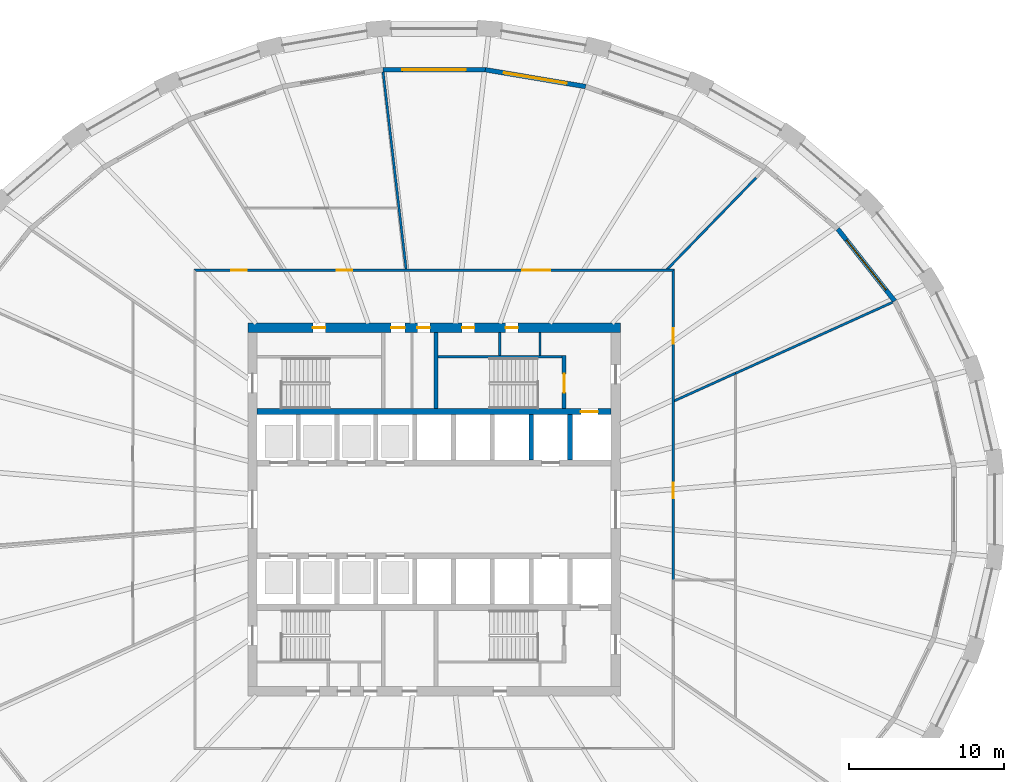
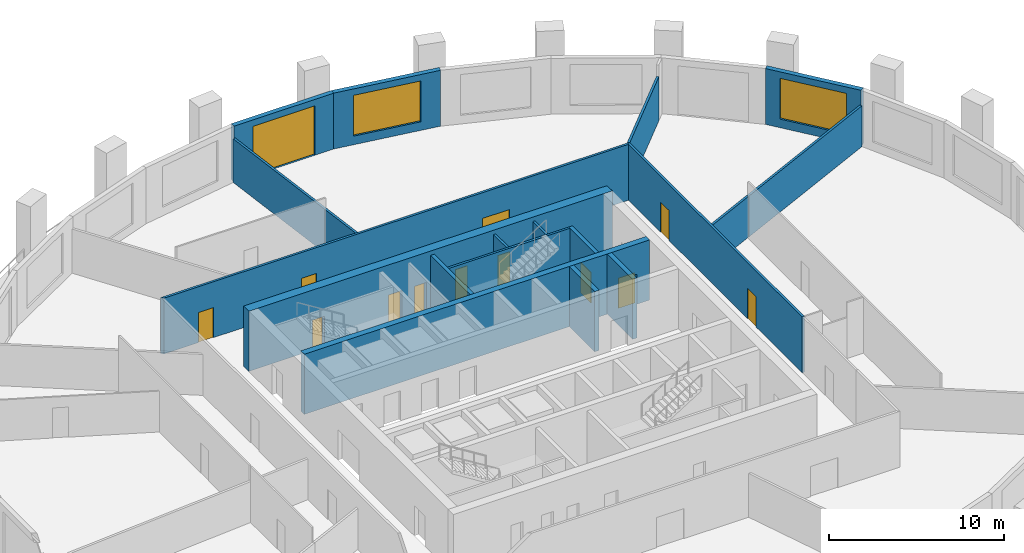
# One storey, part 6 of 10: 18 walls, 13 doors, 2 windows, 15 openings.
"""IFC4 building model written with IfcOpenShell, lengths in metres."""

from ifc_helpers import new_model, si_unit, direction, frame, frame_2d, origin, place, context, subcontext, project, spatial, polyline, rectangle, outline, extrude, material, layer, layer_set, type_object, element, fill, save


model = new_model("IFC4")

# Units and contexts
model_context = context("Model", 3, precision=1e-05, world=origin(), true_north=direction((0.0, 1.0)))
body_context = subcontext(model_context, "Body", "Model", "MODEL_VIEW")
ifc_project = project(units=[si_unit("LENGTHUNIT", "METRE"), si_unit("AREAUNIT", "SQUARE_METRE"), si_unit("VOLUMEUNIT", "CUBIC_METRE"), si_unit("PLANEANGLEUNIT", "RADIAN"), si_unit("MASSUNIT", "GRAM", prefix="KILO")], contexts=[model_context])

# Site, building, storey
site_placement = place(None, origin())
site = spatial("IfcSite", under=ifc_project, at=site_placement, CompositionType="ELEMENT")
building_placement = place(site_placement, origin())
building = spatial("IfcBuilding", under=site, at=building_placement, Name="Halqa Exchange Tower", CompositionType="ELEMENT")
storey_placement = place(building_placement, frame((0.0, 0.0, 86.5)))
storey = spatial("IfcBuildingStorey", under=building, at=storey_placement, Name="L19", CompositionType="ELEMENT", Elevation=86.5)

# Wall, openings, doors
ifc_material_1 = material(Name="Fire-rated gypsum board")
ifc_layer_1 = layer(ifc_material_1, 0.14990234375)
ifc_layer_set_1 = layer_set([ifc_layer_1], Name="Fire-rated gypsum board")
wall_type_1 = type_object("IfcWallType", Name="Fire partition EI 60 150", PredefinedType="PARTITIONING", material=ifc_layer_set_1)
wall_1_placement = place(storey_placement, frame((-15.47509765625, 15.39990234375, 0.0), z_axis=(0.0, 0.0, 1.0), x_axis=(1.0, 0.0, 0.0)))
wall_1 = element("IfcWall", 1, at=wall_1_placement, inside=storey, type_object=wall_type_1, Name="L19-PWL-011", PredefinedType="PARTITIONING", context=body_context, shape_type="SweptSolid", body=[
    extrude(outline(polyline([(0.150146484375, -0.074951171875), (2.065673828125, -0.074951171875), (3.9814453125, -0.074951171875), (5.89697265625, -0.074951171875), (7.8125, -0.074951171875), (9.728271484375, -0.074951171875), (11.643798828125, -0.074951171875), (13.5595703125, -0.074951171875), (15.47509765625, -0.074951171875), (17.390625, -0.074951171875), (19.306396484375, -0.074951171875), (21.221923828125, -0.074951171875), (23.1376953125, -0.074951171875), (25.05322265625, -0.074951171875), (26.96875, -0.074951171875), (28.884521484375, -0.074951171875), (30.800048828125, -0.074951171875), (30.949951171875, 0.074951171875), (29.015625, 0.074951171875), (27.081298828125, 0.074951171875), (25.14697265625, 0.074951171875), (23.21240234375, 0.074951171875), (21.278076171875, 0.074951171875), (19.34375, 0.074951171875), (17.409423828125, 0.074951171875), (15.47509765625, 0.074951171875), (13.540771484375, 0.074951171875), (11.6064453125, 0.074951171875), (9.672119140625, 0.074951171875), (7.73779296875, 0.074951171875), (5.80322265625, 0.074951171875), (3.868896484375, 0.074951171875), (1.9345703125, 0.074951171875), (0.000244140625, 0.074951171875), (0.150146484375, -0.074951171875)])), origin(), (0.0, 0.0, 1.0), 3.89990234375),
])
opening_1_placement = place(wall_1_placement, frame((21.155029296875, 0.0, 0.0)))
opening_1 = element("IfcOpeningElement", 2, at=opening_1_placement, cuts=wall_1, Name="Opening 06-04", PredefinedType="OPENING", context=body_context, shape_type="SweptSolid", body=[
    extrude(rectangle(XDim=1.800048828125, YDim=2.10009765625, at=frame_2d((0.89990234375, 1.050048828125))), frame((0.0, 0.0869140625, 0.0), z_axis=(0.0, -1.0, 0.0), x_axis=(1.0, 0.0, 0.0)), (0.0, 0.0, 1.0), 0.173828125),
])
opening_2_placement = place(wall_1_placement, frame((9.2099609375, 0.0, 0.0)))
opening_2 = element("IfcOpeningElement", 3, at=opening_2_placement, cuts=wall_1, Name="Opening 06-05", PredefinedType="OPENING", context=body_context, shape_type="SweptSolid", body=[
    extrude(rectangle(XDim=1.0, YDim=2.10009765625, at=frame_2d((0.5, 1.050048828125))), frame((0.0, 0.0869140625, 0.0), z_axis=(0.0, -1.0, 0.0), x_axis=(1.0, 0.0, 0.0)), (0.0, 0.0, 1.0), 0.173828125),
])
opening_3_placement = place(wall_1_placement, frame((2.405029296875, 0.0, 0.0)))
opening_3 = element("IfcOpeningElement", 4, at=opening_3_placement, cuts=wall_1, Name="Opening 06-06", PredefinedType="OPENING", context=body_context, shape_type="SweptSolid", body=[
    extrude(rectangle(XDim=1.0, YDim=2.10009765625, at=frame_2d((0.5, 1.050048828125))), frame((0.0, 0.0869140625, 0.0), z_axis=(0.0, -1.0, 0.0), x_axis=(1.0, 0.0, 0.0)), (0.0, 0.0, 1.0), 0.173828125),
])
ifc_material_2 = material(Name="Steel fire door leaf", Category="steel")
door_type_1 = type_object("IfcDoorType", Name="Fire door FD30S 1000 x 2100", OperationType="SINGLE_SWING_LEFT", PredefinedType="DOOR", material=ifc_material_2)
door_1_placement = place(opening_2_placement, origin())
door_1 = element("IfcDoor", 5, at=door_1_placement, inside=storey, type_object=door_type_1, Name="L19-IDR-005", OperationType="SINGLE_SWING_LEFT", OverallHeight=2.10009765625, OverallWidth=1.0, PredefinedType="DOOR", context=body_context, shape_type="SweptSolid", body=[
    extrude(rectangle(XDim=1.0, YDim=2.10009765625, at=frame_2d((0.5, 1.050048828125))), frame((0.0, 0.02490234375, 0.0), z_axis=(0.0, -1.0, 0.0), x_axis=(1.0, 0.0, 0.0)), (0.0, 0.0, 1.0), 0.050048828125),
])
fill(opening_2, door_1)
door_2_placement = place(opening_3_placement, origin())
door_2 = element("IfcDoor", 6, at=door_2_placement, inside=storey, type_object=door_type_1, Name="L19-IDR-006", OperationType="SINGLE_SWING_LEFT", OverallHeight=2.10009765625, OverallWidth=1.0, PredefinedType="DOOR", context=body_context, shape_type="SweptSolid", body=[
    extrude(rectangle(XDim=1.0, YDim=2.10009765625, at=frame_2d((0.5, 1.050048828125))), frame((0.0, 0.02490234375, 0.0), z_axis=(0.0, -1.0, 0.0), x_axis=(1.0, 0.0, 0.0)), (0.0, 0.0, 1.0), 0.050048828125),
])
fill(opening_3, door_2)
door_type_2 = type_object("IfcDoorType", Name="Fire door FD30S double 1800 x 2100", OperationType="DOUBLE_DOOR_SINGLE_SWING", PredefinedType="DOOR", material=ifc_material_2)
door_3_placement = place(opening_1_placement, origin())
door_3 = element("IfcDoor", 7, at=door_3_placement, inside=storey, type_object=door_type_2, Name="L19-IDR-004", OperationType="DOUBLE_DOOR_SINGLE_SWING", OverallHeight=2.10009765625, OverallWidth=1.800048828125, PredefinedType="DOOR", context=body_context, shape_type="SweptSolid", body=[
    extrude(rectangle(XDim=1.800048828125, YDim=2.10009765625, at=frame_2d((0.89990234375, 1.050048828125))), frame((0.0, 0.02490234375, 0.0), z_axis=(0.0, -1.0, 0.0), x_axis=(1.0, 0.0, 0.0)), (0.0, 0.0, 1.0), 0.050048828125),
])
fill(opening_1, door_3)

# Walls
wall_2_placement = place(storey_placement, frame((-3.2841796875, 28.16455078125, 0.0), z_axis=(0.0, 0.0, 1.0), x_axis=(0.116072244208, -0.993240773491, 0.0)))
element("IfcWall", 8, at=wall_2_placement, inside=storey, type_object=wall_type_1, Name="L19-PWL-013", PredefinedType="PARTITIONING", context=body_context, shape_type="SweptSolid", body=[
    extrude(outline(polyline([(0.0, -0.074951171875), (1.7529296875, -0.074951171875), (3.506103515625, -0.074951171875), (5.259033203125, -0.074951171875), (7.011962890625, -0.074951171875), (8.76513671875, -0.074951171875), (8.766357421875, -0.063720703125), (8.86181640625, -0.074951171875), (10.814453125, -0.074951171875), (12.76708984375, -0.074951171875), (12.7841796875, 0.07080078125), (12.7841796875, 0.074951171875), (10.95849609375, 0.074951171875), (9.1328125, 0.074951171875), (7.30712890625, 0.074951171875), (5.4814453125, 0.074951171875), (3.65576171875, 0.074951171875), (1.830078125, 0.074951171875), (0.00439453125, 0.074951171875), (0.0, 0.038330078125), (0.0, -0.074951171875)])), origin(), (0.0, 0.0, 1.0), 3.050048828125),
])
wall_3_placement = place(storey_placement, frame((14.972412109375, 15.423095703125, 0.0), z_axis=(0.0, 0.0, 1.0), x_axis=(0.696854208529, 0.717212808067, 0.0)))
element("IfcWall", 9, at=wall_3_placement, inside=storey, type_object=wall_type_1, Name="L19-PWL-015", PredefinedType="PARTITIONING", context=body_context, shape_type="SweptSolid", body=[
    extrude(outline(polyline([(0.0, 0.074951171875), (0.0, 0.074462890625), (0.145263671875, -0.074951171875), (1.77099609375, -0.074951171875), (3.39697265625, -0.074951171875), (5.022705078125, -0.074951171875), (6.648681640625, -0.074951171875), (8.2744140625, -0.074951171875), (8.2744140625, 0.074951171875), (6.61962890625, 0.074951171875), (4.964599609375, 0.074951171875), (3.309814453125, 0.074951171875), (1.65478515625, 0.074951171875), (0.0, 0.074951171875)])), origin(), (0.0, 0.0, 1.0), 3.080078125),
])

# Wall, openings, doors
wall_4_placement = place(storey_placement, frame((15.39990234375, -4.5400390625, 0.0), z_axis=(0.0, 0.0, 1.0), x_axis=(0.0, 1.0, 0.0)))
wall_4 = element("IfcWall", 10, at=wall_4_placement, inside=storey, type_object=wall_type_1, Name="L19-PWL-019", PredefinedType="PARTITIONING", context=body_context, shape_type="SweptSolid", body=[
    extrude(outline(polyline([(0.0, -0.074951171875), (1.819580078125, -0.074951171875), (3.63916015625, -0.074951171875), (5.45849609375, -0.074951171875), (7.278076171875, -0.074951171875), (9.09765625, -0.074951171875), (10.917236328125, -0.074951171875), (12.73681640625, -0.074951171875), (14.556396484375, -0.074951171875), (16.375732421875, -0.074951171875), (18.1953125, -0.074951171875), (20.014892578125, -0.074951171875), (19.864990234375, 0.074951171875), (17.87841796875, 0.074951171875), (15.89208984375, 0.074951171875), (13.905517578125, 0.074951171875), (11.9189453125, 0.074951171875), (9.9326171875, 0.074951171875), (7.946044921875, 0.074951171875), (5.95947265625, 0.074951171875), (3.972900390625, 0.074951171875), (1.986572265625, 0.074951171875), (0.0, 0.074951171875), (0.0, -0.074951171875)])), origin(), (0.0, 0.0, 1.0), 3.89990234375),
])
opening_4_placement = place(wall_4_placement, frame((5.25, 0.0, 0.0)))
opening_4 = element("IfcOpeningElement", 11, at=opening_4_placement, cuts=wall_4, Name="Opening 06-02", PredefinedType="OPENING", context=body_context, shape_type="SweptSolid", body=[
    extrude(rectangle(XDim=1.0, YDim=2.10009765625, at=frame_2d((0.5, 1.050048828125))), frame((0.0, 0.0869140625, 0.0), z_axis=(0.0, -1.0, 0.0), x_axis=(1.0, 0.0, 0.0)), (0.0, 0.0, 1.0), 0.173828125),
])
opening_5_placement = place(wall_4_placement, frame((15.219970703125, 0.0, 0.0)))
opening_5 = element("IfcOpeningElement", 12, at=opening_5_placement, cuts=wall_4, Name="Opening 06-03", PredefinedType="OPENING", context=body_context, shape_type="SweptSolid", body=[
    extrude(rectangle(XDim=1.0, YDim=2.10009765625, at=frame_2d((0.5, 1.050048828125))), frame((0.0, 0.0869140625, 0.0), z_axis=(0.0, -1.0, 0.0), x_axis=(1.0, 0.0, 0.0)), (0.0, 0.0, 1.0), 0.173828125),
])
door_4_placement = place(opening_4_placement, frame((1.0, 0.0, 0.0), z_axis=(0.0, 0.0, 1.0), x_axis=(-1.0, 0.0, 0.0)))
door_4 = element("IfcDoor", 13, at=door_4_placement, inside=storey, type_object=door_type_1, Name="L19-IDR-002", OperationType="SINGLE_SWING_LEFT", OverallHeight=2.10009765625, OverallWidth=1.0, PredefinedType="DOOR", context=body_context, shape_type="SweptSolid", body=[
    extrude(rectangle(XDim=1.0, YDim=2.10009765625, at=frame_2d((0.5, 1.050048828125))), frame((0.0, 0.02490234375, 0.0), z_axis=(0.0, -1.0, 0.0), x_axis=(1.0, 0.0, 0.0)), (0.0, 0.0, 1.0), 0.050048828125),
])
fill(opening_4, door_4)
door_5_placement = place(opening_5_placement, frame((1.0, 0.0, 0.0), z_axis=(0.0, 0.0, 1.0), x_axis=(-1.0, 0.0, 0.0)))
door_5 = element("IfcDoor", 14, at=door_5_placement, inside=storey, type_object=door_type_1, Name="L19-IDR-003", OperationType="SINGLE_SWING_LEFT", OverallHeight=2.10009765625, OverallWidth=1.0, PredefinedType="DOOR", context=body_context, shape_type="SweptSolid", body=[
    extrude(rectangle(XDim=1.0, YDim=2.10009765625, at=frame_2d((0.5, 1.050048828125))), frame((0.0, 0.02490234375, 0.0), z_axis=(0.0, -1.0, 0.0), x_axis=(1.0, 0.0, 0.0)), (0.0, 0.0, 1.0), 0.050048828125),
])
fill(opening_5, door_5)

# Walls
wall_5_placement = place(storey_placement, frame((15.444091796875, 6.97998046875, 0.0), z_axis=(0.0, 0.0, 1.0), x_axis=(0.911064178848, 0.412264553436, 0.0)))
element("IfcWall", 15, at=wall_5_placement, inside=storey, type_object=wall_type_1, Name="L19-PWL-021", PredefinedType="PARTITIONING", context=body_context, shape_type="SweptSolid", body=[
    extrude(outline(polyline([(0.0, -0.074951171875), (1.417724609375, -0.074951171875), (2.83544921875, -0.074951171875), (4.253173828125, -0.074951171875), (4.254150390625, -0.07275390625), (4.259033203125, -0.074951171875), (4.342041015625, -0.074951171875), (4.342041015625, 0.074951171875), (2.917236328125, 0.074951171875), (1.49267578125, 0.074951171875), (0.06787109375, 0.074951171875), (0.0, -0.074951171875)])), origin(), (0.0, 0.0, 1.0), 2.85009765625),
])
wall_6_placement = place(storey_placement, frame((19.404052734375, 8.761962890625, 0.0), z_axis=(0.0, 0.0, 1.0), x_axis=(0.911089862884, 0.41220778953, 0.0)))
element("IfcWall", 16, at=wall_6_placement, inside=storey, type_object=wall_type_1, Name="L19-PWL-023", PredefinedType="PARTITIONING", context=body_context, shape_type="SweptSolid", body=[
    extrude(outline(polyline([(11.12060546875, -0.074951171875), (11.12060546875, -0.0673828125), (11.11865234375, -0.00244140625), (11.099365234375, 0.074951171875), (9.24951171875, 0.074951171875), (7.399658203125, 0.074951171875), (5.549560546875, 0.074951171875), (3.69970703125, 0.074951171875), (1.849853515625, 0.074951171875), (0.0, 0.074951171875), (0.0, -0.068115234375), (0.015380859375, -0.074951171875), (1.8662109375, -0.074951171875), (3.717041015625, -0.074951171875), (5.56787109375, -0.074951171875), (7.4189453125, -0.074951171875), (9.269775390625, -0.074951171875), (11.12060546875, -0.074951171875)])), origin(), (0.0, 0.0, 1.0), 2.85009765625),
])
ifc_material_3 = material(Name="Gypsum board")
ifc_layer_2 = layer(ifc_material_3, 0.14990234375)
ifc_layer_set_2 = layer_set([ifc_layer_2], Name="Gypsum board")
wall_type_2 = type_object("IfcWallType", Name="Penthouse riser wall 150 gypsum", PredefinedType="PARTITIONING", material=ifc_layer_set_2)
for number, where, z_axis, x_axis, name in (
    (17, (4.22509765625, 9.89990234375, 0.0), (0.0, 0.0, 1.0), (0.0, 1.0, 0.0), "Partition E4.225 N"),
    (18, (6.824951171875, 9.89990234375, 0.0), (0.0, 0.0, 1.0), (0.0, 1.0, 0.0), "Firefighting lobby west wall N"),
):
    element("IfcWall", number, at=place(storey_placement, frame(where, z_axis=z_axis, x_axis=x_axis)), inside=storey, type_object=wall_type_2, Name=name, PredefinedType="PARTITIONING", context=body_context, shape_type="SweptSolid", body=[
        extrude(rectangle(XDim=1.5, YDim=0.14990234375, at=frame_2d((0.75, 0.0))), origin(), (0.0, 0.0, 1.0), 3.89990234375),
    ])
ifc_material_4 = material(Name="Concrete C60/75", Category="concrete")
ifc_layer_3 = layer(ifc_material_4, 0.300048828125)
ifc_layer_set_3 = layer_set([ifc_layer_3], Name="Concrete C60/75")
wall_type_3 = type_object("IfcWallType", Name="RC core wall 300", PredefinedType="SHEAR", material=ifc_layer_set_3)
for number, where, z_axis, x_axis, name in (
    (19, (6.25, 3.199951171875, 0.0), (0.0, 0.0, 1.0), (0.0, 1.0, 0.0), "Shaft divider N7"),
    (20, (8.75, 3.199951171875, 0.0), (0.0, 0.0, 1.0), (0.0, 1.0, 0.0), "Shaft divider N8"),
):
    element("IfcWall", number, at=place(storey_placement, frame(where, z_axis=z_axis, x_axis=x_axis)), inside=storey, type_object=wall_type_3, Name=name, PredefinedType="SHEAR", context=body_context, shape_type="SweptSolid", body=[
        extrude(rectangle(XDim=2.900146484375, YDim=0.300048828125, at=frame_2d((1.4501953125, 0.0))), origin(), (0.0, 0.0, 1.0), 4.199951171875),
    ])

# Wall, opening, door
ifc_material_5 = material(Name="Concrete C80/95", Category="concrete")
ifc_layer_4 = layer(ifc_material_5, 0.39990234375)
ifc_layer_set_4 = layer_set([ifc_layer_4], Name="Concrete C80/95")
wall_type_4 = type_object("IfcWallType", Name="RC core wall 400 C80/95", PredefinedType="SHEAR", material=ifc_layer_set_4)
wall_7_placement = place(storey_placement, frame((-11.39990234375, 6.300048828125, 0.0), z_axis=(0.0, 0.0, 1.0), x_axis=(1.0, 0.0, 0.0)))
wall_7 = element("IfcWall", 21, at=wall_7_placement, inside=storey, type_object=wall_type_4, Name="Lift row back wall N", PredefinedType="SHEAR", context=body_context, shape_type="SweptSolid", body=[
    extrude(rectangle(XDim=22.7998046875, YDim=0.39990234375, at=frame_2d((11.39990234375, 0.0))), origin(), (0.0, 0.0, 1.0), 4.199951171875),
])
opening_6_placement = place(wall_7_placement, frame((20.85009765625, 0.0, 0.0)))
opening_6 = element("IfcOpeningElement", 22, at=opening_6_placement, cuts=wall_7, Name="Opening LD-FF1-T06", PredefinedType="OPENING", context=body_context, shape_type="SweptSolid", body=[
    extrude(rectangle(XDim=1.10009765625, YDim=2.10009765625, at=frame_2d((0.550048828125, 1.050048828125))), frame((0.0, 0.2119140625, 0.0), z_axis=(0.0, -1.0, 0.0), x_axis=(1.0, 0.0, 0.0)), (0.0, 0.0, 1.0), 0.423828125),
])
ifc_material_6 = material(Name="Stainless steel", Category="steel")
door_type_3 = type_object("IfcDoorType", Name="Lift landing door 1100 x 2100", OperationType="SLIDING_TO_LEFT", PredefinedType="DOOR", material=ifc_material_6)
door_6_placement = place(opening_6_placement, origin())
door_6 = element("IfcDoor", 23, at=door_6_placement, inside=storey, type_object=door_type_3, Name="Lift landing door FF1", OperationType="SLIDING_TO_LEFT", OverallHeight=2.10009765625, OverallWidth=1.10009765625, PredefinedType="DOOR", context=body_context, shape_type="SweptSolid", body=[
    extrude(rectangle(XDim=1.10009765625, YDim=2.10009765625, at=frame_2d((0.550048828125, 1.050048828125))), frame((0.0, 0.02490234375, 0.0), z_axis=(0.0, -1.0, 0.0), x_axis=(1.0, 0.0, 0.0)), (0.0, 0.0, 1.0), 0.050048828125),
])
fill(opening_6, door_6)

# Wall, openings, doors
ifc_layer_5 = layer(ifc_material_5, 0.60009765625)
ifc_layer_set_5 = layer_set([ifc_layer_5], Name="Concrete C80/95")
wall_type_5 = type_object("IfcWallType", Name="RC core wall 600 C80/95", PredefinedType="SHEAR", material=ifc_layer_set_5)
wall_8_placement = place(storey_placement, frame((-12.0, 11.699951171875, 0.0), z_axis=(0.0, 0.0, 1.0), x_axis=(1.0, 0.0, 0.0)))
wall_8 = element("IfcWall", 24, at=wall_8_placement, inside=storey, type_object=wall_type_5, Name="Core wall north", PredefinedType="SHEAR", context=body_context, shape_type="SweptSolid", body=[
    extrude(rectangle(XDim=24.0, YDim=0.60009765625, at=frame_2d((12.0, 0.0))), origin(), (0.0, 0.0, 1.0), 4.199951171875),
])
opening_7_placement = place(wall_8_placement, frame((9.22509765625, 0.0, 0.0)))
opening_7 = element("IfcOpeningElement", 25, at=opening_7_placement, cuts=wall_8, Name="Opening T06-C21", PredefinedType="OPENING", context=body_context, shape_type="SweptSolid", body=[
    extrude(rectangle(XDim=0.89990234375, YDim=2.10009765625, at=frame_2d((0.449951171875, 1.050048828125))), frame((0.0, 0.31201171875, 0.0), z_axis=(0.0, -1.0, 0.0), x_axis=(1.0, 0.0, 0.0)), (0.0, 0.0, 1.0), 0.6240234375),
])
opening_8_placement = place(wall_8_placement, frame((10.925048828125, 0.0, 0.0)))
opening_8 = element("IfcOpeningElement", 26, at=opening_8_placement, cuts=wall_8, Name="Opening T06-C22", PredefinedType="OPENING", context=body_context, shape_type="SweptSolid", body=[
    extrude(rectangle(XDim=0.800048828125, YDim=2.10009765625, at=frame_2d((0.39990234375, 1.050048828125))), frame((0.0, 0.31201171875, 0.0), z_axis=(0.0, -1.0, 0.0), x_axis=(1.0, 0.0, 0.0)), (0.0, 0.0, 1.0), 0.6240234375),
])
opening_9_placement = place(wall_8_placement, frame((4.199951171875, 0.0, 0.0)))
opening_9 = element("IfcOpeningElement", 27, at=opening_9_placement, cuts=wall_8, Name="Opening T06-C23", PredefinedType="OPENING", context=body_context, shape_type="SweptSolid", body=[
    extrude(rectangle(XDim=0.800048828125, YDim=2.10009765625, at=frame_2d((0.39990234375, 1.050048828125))), frame((0.0, 0.31201171875, 0.0), z_axis=(0.0, -1.0, 0.0), x_axis=(1.0, 0.0, 0.0)), (0.0, 0.0, 1.0), 0.6240234375),
])
opening_10_placement = place(wall_8_placement, frame((13.800048828125, 0.0, 0.0)))
opening_10 = element("IfcOpeningElement", 28, at=opening_10_placement, cuts=wall_8, Name="Opening T06-C24", PredefinedType="OPENING", context=body_context, shape_type="SweptSolid", body=[
    extrude(rectangle(XDim=0.800048828125, YDim=2.10009765625, at=frame_2d((0.39990234375, 1.050048828125))), frame((0.0, 0.31201171875, 0.0), z_axis=(0.0, -1.0, 0.0), x_axis=(1.0, 0.0, 0.0)), (0.0, 0.0, 1.0), 0.6240234375),
])
opening_11_placement = place(wall_8_placement, frame((16.60009765625, 0.0, 0.0)))
opening_11 = element("IfcOpeningElement", 29, at=opening_11_placement, cuts=wall_8, Name="Opening T06-C25", PredefinedType="OPENING", context=body_context, shape_type="SweptSolid", body=[
    extrude(rectangle(XDim=0.800048828125, YDim=2.10009765625, at=frame_2d((0.39990234375, 1.050048828125))), frame((0.0, 0.31201171875, 0.0), z_axis=(0.0, -1.0, 0.0), x_axis=(1.0, 0.0, 0.0)), (0.0, 0.0, 1.0), 0.6240234375),
])
ifc_material_7 = material(Name="Timber fire door leaf", Category="wood")
door_type_4 = type_object("IfcDoorType", Name="Core room door FD30 900 x 2100", OperationType="SINGLE_SWING_LEFT", PredefinedType="DOOR", material=ifc_material_7)
door_7_placement = place(opening_7_placement, frame((0.89990234375, 0.0, 0.0), z_axis=(0.0, 0.0, 1.0), x_axis=(-1.0, 0.0, 0.0)))
door_7 = element("IfcDoor", 30, at=door_7_placement, inside=storey, type_object=door_type_4, Name="Core room door", OperationType="SINGLE_SWING_LEFT", OverallHeight=2.10009765625, OverallWidth=0.89990234375, PredefinedType="DOOR", context=body_context, shape_type="SweptSolid", body=[
    extrude(rectangle(XDim=0.89990234375, YDim=2.10009765625, at=frame_2d((0.449951171875, 1.050048828125))), frame((0.0, 0.02490234375, 0.0), z_axis=(0.0, -1.0, 0.0), x_axis=(1.0, 0.0, 0.0)), (0.0, 0.0, 1.0), 0.050048828125),
])
fill(opening_7, door_7)
door_type_5 = type_object("IfcDoorType", Name="Riser door FD60 800 x 2100", OperationType="SINGLE_SWING_LEFT", PredefinedType="DOOR", material=ifc_material_2)
door_8_placement = place(opening_8_placement, frame((0.800048828125, 0.0, 0.0), z_axis=(0.0, 0.0, 1.0), x_axis=(-1.0, 0.0, 0.0)))
door_8 = element("IfcDoor", 31, at=door_8_placement, inside=storey, type_object=door_type_5, Name="Core room door", OperationType="SINGLE_SWING_LEFT", OverallHeight=2.10009765625, OverallWidth=0.800048828125, PredefinedType="DOOR", context=body_context, shape_type="SweptSolid", body=[
    extrude(rectangle(XDim=0.800048828125, YDim=2.10009765625, at=frame_2d((0.39990234375, 1.050048828125))), frame((0.0, 0.02490234375, 0.0), z_axis=(0.0, -1.0, 0.0), x_axis=(1.0, 0.0, 0.0)), (0.0, 0.0, 1.0), 0.050048828125),
])
fill(opening_8, door_8)
door_9_placement = place(opening_9_placement, frame((0.800048828125, 0.0, 0.0), z_axis=(0.0, 0.0, 1.0), x_axis=(-1.0, 0.0, 0.0)))
door_9 = element("IfcDoor", 32, at=door_9_placement, inside=storey, type_object=door_type_5, Name="Core room door", OperationType="SINGLE_SWING_LEFT", OverallHeight=2.10009765625, OverallWidth=0.800048828125, PredefinedType="DOOR", context=body_context, shape_type="SweptSolid", body=[
    extrude(rectangle(XDim=0.800048828125, YDim=2.10009765625, at=frame_2d((0.39990234375, 1.050048828125))), frame((0.0, 0.02490234375, 0.0), z_axis=(0.0, -1.0, 0.0), x_axis=(1.0, 0.0, 0.0)), (0.0, 0.0, 1.0), 0.050048828125),
])
fill(opening_9, door_9)
door_10_placement = place(opening_10_placement, frame((0.800048828125, 0.0, 0.0), z_axis=(0.0, 0.0, 1.0), x_axis=(-1.0, 0.0, 0.0)))
door_10 = element("IfcDoor", 33, at=door_10_placement, inside=storey, type_object=door_type_5, Name="Core room door", OperationType="SINGLE_SWING_RIGHT", OverallHeight=2.10009765625, OverallWidth=0.800048828125, PredefinedType="DOOR", context=body_context, shape_type="SweptSolid", body=[
    extrude(rectangle(XDim=0.800048828125, YDim=2.10009765625, at=frame_2d((0.39990234375, 1.050048828125))), frame((0.0, 0.02490234375, 0.0), z_axis=(0.0, -1.0, 0.0), x_axis=(1.0, 0.0, 0.0)), (0.0, 0.0, 1.0), 0.050048828125),
])
fill(opening_10, door_10)
door_11_placement = place(opening_11_placement, frame((0.800048828125, 0.0, 0.0), z_axis=(0.0, 0.0, 1.0), x_axis=(-1.0, 0.0, 0.0)))
door_11 = element("IfcDoor", 34, at=door_11_placement, inside=storey, type_object=door_type_5, Name="Core room door", OperationType="SINGLE_SWING_LEFT", OverallHeight=2.10009765625, OverallWidth=0.800048828125, PredefinedType="DOOR", context=body_context, shape_type="SweptSolid", body=[
    extrude(rectangle(XDim=0.800048828125, YDim=2.10009765625, at=frame_2d((0.39990234375, 1.050048828125))), frame((0.0, 0.02490234375, 0.0), z_axis=(0.0, -1.0, 0.0), x_axis=(1.0, 0.0, 0.0)), (0.0, 0.0, 1.0), 0.050048828125),
])
fill(opening_11, door_11)

# Walls
ifc_material_8 = material(Name="Concrete C30/37", Category="concrete")
ifc_layer_6 = layer(ifc_material_8, 0.14990234375)
ifc_layer_set_6 = layer_set([ifc_layer_6], Name="Concrete C30/37")
wall_type_6 = type_object("IfcWallType", Name="RC stair wall 150 C30/37", PredefinedType="SHEAR", material=ifc_layer_set_6)
wall_9_placement = place(storey_placement, frame((0.25, 9.824951171875, 0.0), z_axis=(0.0, 0.0, 1.0), x_axis=(1.0, 0.0, 0.0)))
element("IfcWall", 35, at=wall_9_placement, inside=storey, type_object=wall_type_6, Name="Stair ST2 north wall N", PredefinedType="SHEAR", context=body_context, shape_type="SweptSolid", body=[
    extrude(rectangle(XDim=8.0, YDim=0.14990234375, at=frame_2d((4.0, 0.0))), origin(), (0.0, 0.0, 1.0), 3.89990234375),
])
ifc_layer_7 = layer(ifc_material_8, 0.25)
ifc_layer_set_7 = layer_set([ifc_layer_7], Name="Concrete C30/37")
wall_type_7 = type_object("IfcWallType", Name="RC stair wall 250 C30/37", PredefinedType="SHEAR", material=ifc_layer_set_7)
wall_10_placement = place(storey_placement, frame((0.125, 6.5, 0.0), z_axis=(0.0, 0.0, 1.0), x_axis=(0.0, 1.0, 0.0)))
element("IfcWall", 36, at=wall_10_placement, inside=storey, type_object=wall_type_7, Name="Stair ST2 west wall N", PredefinedType="SHEAR", context=body_context, shape_type="SweptSolid", body=[
    extrude(rectangle(XDim=4.89990234375, YDim=0.25, at=frame_2d((2.449951171875, 0.0))), origin(), (0.0, 0.0, 1.0), 3.89990234375),
])

# Wall, opening, door
wall_11_placement = place(storey_placement, frame((8.375, 6.5, 0.0), z_axis=(0.0, 0.0, 1.0), x_axis=(0.0, 1.0, 0.0)))
wall_11 = element("IfcWall", 37, at=wall_11_placement, inside=storey, type_object=wall_type_7, Name="Stair ST2 east wall N", PredefinedType="SHEAR", context=body_context, shape_type="SweptSolid", body=[
    extrude(rectangle(XDim=3.39990234375, YDim=0.25, at=frame_2d((1.699951171875, 0.0))), origin(), (0.0, 0.0, 1.0), 3.89990234375),
])
opening_12_placement = place(wall_11_placement, frame((1.02490234375, 0.0, 0.0)))
opening_12 = element("IfcOpeningElement", 38, at=opening_12_placement, cuts=wall_11, Name="Opening T06-C16", PredefinedType="OPENING", context=body_context, shape_type="SweptSolid", body=[
    extrude(rectangle(XDim=1.199951171875, YDim=2.10009765625, at=frame_2d((0.60009765625, 1.050048828125))), frame((0.0, 0.136962890625, 0.0), z_axis=(0.0, -1.0, 0.0), x_axis=(1.0, 0.0, 0.0)), (0.0, 0.0, 1.0), 0.27392578125),
])
door_type_6 = type_object("IfcDoorType", Name="Stair door FD90 1200 x 2100", OperationType="SINGLE_SWING_LEFT", PredefinedType="DOOR", material=ifc_material_2)
door_12_placement = place(opening_12_placement, origin())
door_12 = element("IfcDoor", 39, at=door_12_placement, inside=storey, type_object=door_type_6, Name="Stair door ST2", OperationType="SINGLE_SWING_RIGHT", OverallHeight=2.10009765625, OverallWidth=1.199951171875, PredefinedType="DOOR", context=body_context, shape_type="SweptSolid", body=[
    extrude(rectangle(XDim=1.199951171875, YDim=2.10009765625, at=frame_2d((0.60009765625, 1.050048828125))), frame((0.0, 0.02490234375, 0.0), z_axis=(0.0, -1.0, 0.0), x_axis=(1.0, 0.0, 0.0)), (0.0, 0.0, 1.0), 0.050048828125),
])
fill(opening_12, door_12)

# Wall, opening, window
ifc_material_9 = material(Name="Limestone cladding", Category="masonry")
ifc_layer_8 = layer(ifc_material_9, 0.0400390625)
ifc_material_10 = material(Name="Ventilated cavity")
ifc_layer_9 = layer(ifc_material_10, 0.030029296875, ventilated=True)
ifc_material_11 = material(Name="Mineral wool insulation")
ifc_layer_10 = layer(ifc_material_11, 0.10009765625)
ifc_layer_11 = layer(ifc_material_8, 0.10009765625)
ifc_material_12 = material(Name="Internal plaster")
ifc_layer_12 = layer(ifc_material_12, 0.030029296875)
ifc_layer_set_8 = layer_set([ifc_layer_8, ifc_layer_9, ifc_layer_10, ifc_layer_11, ifc_layer_12], Name="Stone-faced insulated wall 300")
wall_type_8 = type_object("IfcWallType", Name="Stone-faced insulated wall 300", PredefinedType="STANDARD", material=ifc_layer_set_8)
wall_12_placement = place(storey_placement, frame((29.66259765625, 13.42333984375, 0.0), z_axis=(0.0, 0.0, 1.0), x_axis=(-0.620142219764, 0.784489405452, 0.0)))
wall_12 = element("IfcWall", 40, at=wall_12_placement, inside=storey, type_object=wall_type_8, Name="Glass-line wall 3", PredefinedType="STANDARD", context=body_context, shape_type="SweptSolid", body=[
    extrude(outline(polyline([(-0.01611328125, -0.14990234375), (5.927490234375, -0.14990234375), (5.897216796875, 0.14990234375), (0.01611328125, 0.14990234375), (-0.01611328125, -0.14990234375)])), origin(), (0.0, 0.0, 1.0), 3.89990234375),
])
opening_13_placement = place(wall_12_placement, frame((0.90625, 0.0, 0.60009765625)))
opening_13 = element("IfcOpeningElement", 41, at=opening_13_placement, cuts=wall_12, Name="Opening W-F1-03", PredefinedType="OPENING", context=body_context, shape_type="SweptSolid", body=[
    extrude(rectangle(XDim=4.10009765625, YDim=2.85009765625, at=frame_2d((2.050048828125, 1.425048828125))), frame((0.0, 0.162109375, 0.0), z_axis=(0.0, -1.0, 0.0), x_axis=(1.0, 0.0, 0.0)), (0.0, 0.0, 1.0), 0.323974609375),
])
ifc_material_13 = material(Name="Clear low-emissivity glass in aluminium frame", Category="aluminium")
window_type = type_object("IfcWindowType", Name="Fixed clear glazed window 4100 x 2850", PartitioningType="TRIPLE_PANEL_VERTICAL", PredefinedType="WINDOW", material=ifc_material_13)
window_1_placement = place(opening_13_placement, origin())
window_1 = element("IfcWindow", 42, at=window_1_placement, inside=storey, type_object=window_type, Name="Window 1", OverallHeight=2.85009765625, OverallWidth=4.10009765625, PartitioningType="TRIPLE_PANEL_VERTICAL", PredefinedType="WINDOW", context=body_context, shape_type="SweptSolid", body=[
    extrude(rectangle(XDim=4.10009765625, YDim=2.85009765625, at=frame_2d((2.050048828125, 1.425048828125))), frame((0.0, 0.030029296875, 0.0), z_axis=(0.0, -1.0, 0.0), x_axis=(1.0, 0.0, 0.0)), (0.0, 0.0, 1.0), 0.06005859375),
])
fill(opening_13, window_1)

wall_13_placement = place(storey_placement, frame((9.759033203125, 27.232421875, 0.0), z_axis=(0.0, 0.0, 1.0), x_axis=(-0.986162431544, 0.165781961053, 0.0)))
wall_13 = element("IfcWall", 43, at=wall_13_placement, inside=storey, type_object=wall_type_8, Name="Glass-line wall 7", PredefinedType="STANDARD", context=body_context, shape_type="SweptSolid", body=[
    extrude(outline(polyline([(-0.0126953125, -0.14990234375), (6.5673828125, -0.14990234375), (6.54248046875, 0.14990234375), (0.0126953125, 0.14990234375), (-0.0126953125, -0.14990234375)])), origin(), (0.0, 0.0, 1.0), 3.89990234375),
])
opening_14_placement = place(wall_13_placement, frame((1.227294921875, 0.0, 0.60009765625)))
opening_14 = element("IfcOpeningElement", 44, at=opening_14_placement, cuts=wall_13, Name="Opening W-F1-07", PredefinedType="OPENING", context=body_context, shape_type="SweptSolid", body=[
    extrude(rectangle(XDim=4.10009765625, YDim=2.85009765625, at=frame_2d((2.050048828125, 1.425048828125))), frame((0.0, 0.162109375, 0.0), z_axis=(0.0, -1.0, 0.0), x_axis=(1.0, 0.0, 0.0)), (0.0, 0.0, 1.0), 0.323974609375),
])
window_2_placement = place(opening_14_placement, origin())
window_2 = element("IfcWindow", 45, at=window_2_placement, inside=storey, type_object=window_type, Name="Window 1", OverallHeight=2.85009765625, OverallWidth=4.10009765625, PartitioningType="TRIPLE_PANEL_VERTICAL", PredefinedType="WINDOW", context=body_context, shape_type="SweptSolid", body=[
    extrude(rectangle(XDim=4.10009765625, YDim=2.85009765625, at=frame_2d((2.050048828125, 1.425048828125))), frame((0.0, 0.030029296875, 0.0), z_axis=(0.0, -1.0, 0.0), x_axis=(1.0, 0.0, 0.0)), (0.0, 0.0, 1.0), 0.06005859375),
])
fill(opening_14, window_2)

# Wall, opening, door
wall_14_placement = place(storey_placement, frame((3.294921875, 28.319091796875, 0.0), z_axis=(0.0, 0.0, 1.0), x_axis=(-1.0, 0.0, 0.0)))
wall_14 = element("IfcWall", 46, at=wall_14_placement, inside=storey, type_object=wall_type_8, Name="Glass-line wall 8", PredefinedType="STANDARD", context=body_context, shape_type="SweptSolid", body=[
    extrude(outline(polyline([(-0.012451171875, -0.14990234375), (6.602294921875, -0.14990234375), (6.577392578125, 0.14990234375), (0.012451171875, 0.14990234375), (-0.012451171875, -0.14990234375)])), origin(), (0.0, 0.0, 1.0), 3.89990234375),
])
opening_15_placement = place(wall_14_placement, frame((1.2451171875, 0.0, 0.0)))
opening_15 = element("IfcOpeningElement", 47, at=opening_15_placement, cuts=wall_14, Name="Opening LG-F1-02", PredefinedType="OPENING", context=body_context, shape_type="SweptSolid", body=[
    extrude(rectangle(XDim=4.10009765625, YDim=3.449951171875, at=frame_2d((2.050048828125, 1.72509765625))), frame((0.0, 0.162109375, 0.0), z_axis=(0.0, -1.0, 0.0), x_axis=(1.0, 0.0, 0.0)), (0.0, 0.0, 1.0), 0.323974609375),
])
door_type_7 = type_object("IfcDoorType", Name="Glazed sliding loggia door 4100 x 3450", OperationType="DOUBLE_DOOR_SLIDING", PredefinedType="DOOR", material=ifc_material_13)
door_13_placement = place(opening_15_placement, origin())
door_13 = element("IfcDoor", 48, at=door_13_placement, inside=storey, type_object=door_type_7, Name="Loggia door 2", OperationType="DOUBLE_DOOR_SLIDING", OverallHeight=3.449951171875, OverallWidth=4.10009765625, PredefinedType="DOOR", context=body_context, shape_type="SweptSolid", body=[
    extrude(rectangle(XDim=4.10009765625, YDim=3.449951171875, at=frame_2d((2.050048828125, 1.72509765625))), frame((0.0, 0.02490234375, 0.0), z_axis=(0.0, -1.0, 0.0), x_axis=(1.0, 0.0, 0.0)), (0.0, 0.0, 1.0), 0.050048828125),
])
fill(opening_15, door_13)

save(model, "model.ifc")
